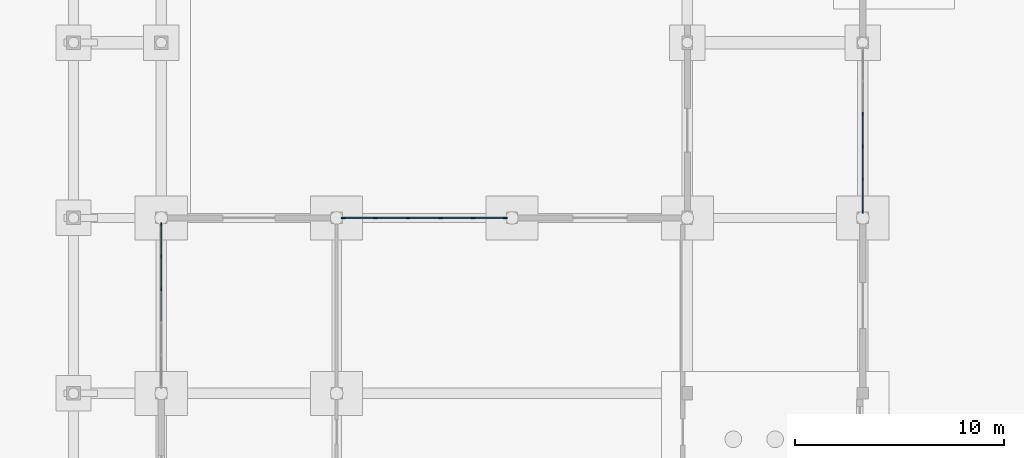
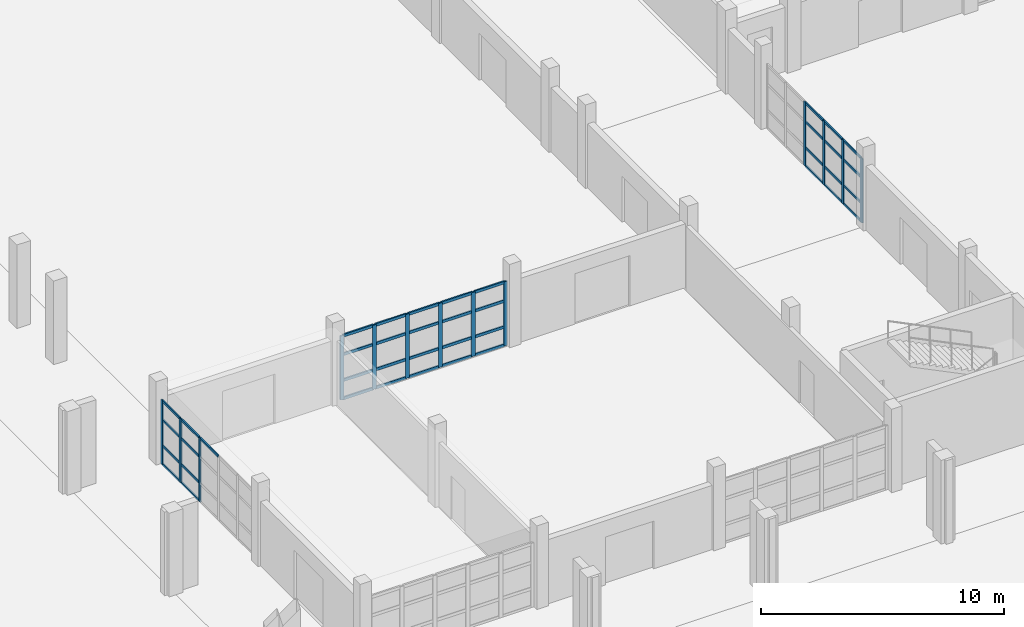
# One storey, part 17 of 88: 54 members, 3 elements without a shape of their own.
"""IFC4 building model written with IfcOpenShell, lengths in metres."""

from ifc_helpers import new_model, si_unit, direction, frame, origin, origin_2d, place, context, subcontext, project, spatial, rectangle, extrude, material, material_profile, profile_set, type_object, element, aggregate, save


model = new_model("IFC4")

# Units and contexts
model_context = context("Model", 3, precision=1e-05, world=origin(), true_north=direction((0.0, 1.0)))
body_context = subcontext(model_context, "Body", "Model", "MODEL_VIEW")
ifc_project = project(units=[si_unit("LENGTHUNIT", "METRE"), si_unit("AREAUNIT", "SQUARE_METRE"), si_unit("VOLUMEUNIT", "CUBIC_METRE"), si_unit("PLANEANGLEUNIT", "RADIAN"), si_unit("MASSUNIT", "GRAM", prefix="KILO")], contexts=[model_context])

# Site, building, storey
site_placement = place(None, origin())
site = spatial("IfcSite", under=ifc_project, at=site_placement, CompositionType="ELEMENT")
building_placement = place(site_placement, origin())
building = spatial("IfcBuilding", under=site, at=building_placement, Name="Vanh Quang Courtyard School", CompositionType="ELEMENT")
storey_placement = place(building_placement, origin())
storey = spatial("IfcBuildingStorey", under=building, at=storey_placement, Name="L00", CompositionType="ELEMENT", Elevation=0.0)

# Curtain wall, members
ifc_material_1 = material(Name="Thermally broken aluminium unitised curtain wall", Category="aluminium")
curtain_wall_type = type_object("IfcCurtainWallType", Name="CW-SYS-01", PredefinedType="NOTDEFINED", material=ifc_material_1)
curtain_wall_1_placement = place(storey_placement, origin())
curtain_wall_1 = element("IfcCurtainWall", 1, at=curtain_wall_1_placement, inside=storey, type_object=curtain_wall_type, Name="Curtain Wall CW-01 (L00)", PredefinedType="NOTDEFINED")
ifc_material_2 = material(Name="Anodised aluminium 6063-T6", Category="aluminium")
ifc_material_profile_1 = material_profile(ifc_material_2, rectangle(XDim=0.06005859375, YDim=0.159912109375, at=origin_2d()), Name="ALU-MUL 60x160")
ifc_profile_set_1 = profile_set([ifc_material_profile_1], Name="Anodised aluminium 6063-T6")
member_type_1 = type_object("IfcMemberType", Name="CW-MUL-60x160", PredefinedType="MULLION", material=ifc_profile_set_1)
member_1_placement = place(storey_placement, frame((37.800048828125, 25.9833984375, 0.0), z_axis=(0.0, 0.0, 1.0), x_axis=(1.0, 0.0, 0.0)))
member_1 = element("IfcMember", 2, at=member_1_placement, type_object=member_type_1, Name="CW-01 mullion 3", PredefinedType="MULLION", context=body_context, shape_type="SweptSolid", body=[
    extrude(rectangle(XDim=0.06005859375, YDim=0.159912109375, at=origin_2d()), origin(), (0.0, 0.0, 1.0), 3.219970703125),
])
member_2_placement = place(storey_placement, frame((37.800048828125, 24.41650390625, 0.0), z_axis=(0.0, 0.0, 1.0), x_axis=(1.0, 0.0, 0.0)))
member_2 = element("IfcMember", 3, at=member_2_placement, type_object=member_type_1, Name="CW-01 mullion 4", PredefinedType="MULLION", context=body_context, shape_type="SweptSolid", body=[
    extrude(rectangle(XDim=0.06005859375, YDim=0.159912109375, at=origin_2d()), origin(), (0.0, 0.0, 1.0), 3.219970703125),
])
member_3_placement = place(storey_placement, frame((37.800048828125, 22.849853515625, 0.0), z_axis=(0.0, 0.0, 1.0), x_axis=(1.0, 0.0, 0.0)))
member_3 = element("IfcMember", 4, at=member_3_placement, type_object=member_type_1, Name="CW-01 mullion 5", PredefinedType="MULLION", context=body_context, shape_type="SweptSolid", body=[
    extrude(rectangle(XDim=0.06005859375, YDim=0.159912109375, at=origin_2d()), origin(), (0.0, 0.0, 1.0), 3.219970703125),
])
member_4_placement = place(storey_placement, frame((37.800048828125, 21.31298828125, 0.0), z_axis=(0.0, 0.0, 1.0), x_axis=(1.0, 0.0, 0.0)))
member_4 = element("IfcMember", 5, at=member_4_placement, type_object=member_type_1, Name="CW-01 mullion 6", PredefinedType="MULLION", context=body_context, shape_type="SweptSolid", body=[
    extrude(rectangle(XDim=0.06005859375, YDim=0.159912109375, at=origin_2d()), origin(), (0.0, 0.0, 1.0), 3.219970703125),
])

curtain_wall_2_placement = place(storey_placement, origin())
curtain_wall_2 = element("IfcCurtainWall", 6, at=curtain_wall_2_placement, inside=storey, type_object=curtain_wall_type, Name="Curtain Wall CW-01 (L00)", PredefinedType="NOTDEFINED")
member_5_placement = place(storey_placement, frame((4.199951171875, 17.58349609375, 0.0), z_axis=(0.0, 0.0, 1.0), x_axis=(-1.0, 0.0, 0.0)))
member_5 = element("IfcMember", 7, at=member_5_placement, type_object=member_type_1, Name="CW-01 mullion 4", PredefinedType="MULLION", context=body_context, shape_type="SweptSolid", body=[
    extrude(rectangle(XDim=0.06005859375, YDim=0.159912109375, at=origin_2d()), origin(), (0.0, 0.0, 1.0), 3.219970703125),
])
member_6_placement = place(storey_placement, frame((4.199951171875, 19.150146484375, 0.0), z_axis=(0.0, 0.0, 1.0), x_axis=(-1.0, 0.0, 0.0)))
member_6 = element("IfcMember", 8, at=member_6_placement, type_object=member_type_1, Name="CW-01 mullion 5", PredefinedType="MULLION", context=body_context, shape_type="SweptSolid", body=[
    extrude(rectangle(XDim=0.06005859375, YDim=0.159912109375, at=origin_2d()), origin(), (0.0, 0.0, 1.0), 3.219970703125),
])
member_7_placement = place(storey_placement, frame((4.199951171875, 20.68701171875, 0.0), z_axis=(0.0, 0.0, 1.0), x_axis=(-1.0, 0.0, 0.0)))
member_7 = element("IfcMember", 9, at=member_7_placement, type_object=member_type_1, Name="CW-01 mullion 6", PredefinedType="MULLION", context=body_context, shape_type="SweptSolid", body=[
    extrude(rectangle(XDim=0.06005859375, YDim=0.159912109375, at=origin_2d()), origin(), (0.0, 0.0, 1.0), 3.219970703125),
])

curtain_wall_3_placement = place(storey_placement, origin())
curtain_wall_3 = element("IfcCurtainWall", 10, at=curtain_wall_3_placement, inside=storey, type_object=curtain_wall_type, Name="Curtain Wall CW-01 (L00)", PredefinedType="NOTDEFINED")
ifc_material_profile_2 = material_profile(ifc_material_2, rectangle(XDim=0.070068359375, YDim=0.179931640625, at=origin_2d()), Name="ALU-MUL 70x180")
ifc_profile_set_2 = profile_set([ifc_material_profile_2], Name="Anodised aluminium 6063-T6")
member_type_2 = type_object("IfcMemberType", Name="CW-MUL-70x180", PredefinedType="MULLION", material=ifc_profile_set_2)
member_8_placement = place(storey_placement, frame((12.91796875, 21.0, 0.0), z_axis=(0.0, 0.0, 1.0), x_axis=(0.0, 1.0, 0.0)))
member_8 = element("IfcMember", 11, at=member_8_placement, type_object=member_type_2, Name="CW-01 mullion 1", PredefinedType="MULLION", context=body_context, shape_type="SweptSolid", body=[
    extrude(rectangle(XDim=0.070068359375, YDim=0.179931640625, at=origin_2d()), origin(), (0.0, 0.0, 1.0), 3.219970703125),
])
member_9_placement = place(storey_placement, frame((14.44970703125, 21.0, 0.0), z_axis=(0.0, 0.0, 1.0), x_axis=(0.0, 1.0, 0.0)))
member_9 = element("IfcMember", 12, at=member_9_placement, type_object=member_type_2, Name="CW-01 mullion 2", PredefinedType="MULLION", context=body_context, shape_type="SweptSolid", body=[
    extrude(rectangle(XDim=0.070068359375, YDim=0.179931640625, at=origin_2d()), origin(), (0.0, 0.0, 1.0), 3.219970703125),
])
member_10_placement = place(storey_placement, frame((16.0166015625, 21.0, 0.0), z_axis=(0.0, 0.0, 1.0), x_axis=(0.0, 1.0, 0.0)))
member_10 = element("IfcMember", 13, at=member_10_placement, type_object=member_type_2, Name="CW-01 mullion 3", PredefinedType="MULLION", context=body_context, shape_type="SweptSolid", body=[
    extrude(rectangle(XDim=0.070068359375, YDim=0.179931640625, at=origin_2d()), origin(), (0.0, 0.0, 1.0), 3.219970703125),
])
member_11_placement = place(storey_placement, frame((17.58349609375, 21.0, 0.0), z_axis=(0.0, 0.0, 1.0), x_axis=(0.0, 1.0, 0.0)))
member_11 = element("IfcMember", 14, at=member_11_placement, type_object=member_type_2, Name="CW-01 mullion 4", PredefinedType="MULLION", context=body_context, shape_type="SweptSolid", body=[
    extrude(rectangle(XDim=0.070068359375, YDim=0.179931640625, at=origin_2d()), origin(), (0.0, 0.0, 1.0), 3.219970703125),
])
member_12_placement = place(storey_placement, frame((19.150146484375, 21.0, 0.0), z_axis=(0.0, 0.0, 1.0), x_axis=(0.0, 1.0, 0.0)))
member_12 = element("IfcMember", 15, at=member_12_placement, type_object=member_type_2, Name="CW-01 mullion 5", PredefinedType="MULLION", context=body_context, shape_type="SweptSolid", body=[
    extrude(rectangle(XDim=0.070068359375, YDim=0.179931640625, at=origin_2d()), origin(), (0.0, 0.0, 1.0), 3.219970703125),
])
member_13_placement = place(storey_placement, frame((20.681884765625, 21.0, 0.0), z_axis=(0.0, 0.0, 1.0), x_axis=(0.0, 1.0, 0.0)))
member_13 = element("IfcMember", 16, at=member_13_placement, type_object=member_type_2, Name="CW-01 mullion 6", PredefinedType="MULLION", context=body_context, shape_type="SweptSolid", body=[
    extrude(rectangle(XDim=0.070068359375, YDim=0.179931640625, at=origin_2d()), origin(), (0.0, 0.0, 1.0), 3.219970703125),
])

# Member
ifc_material_profile_3 = material_profile(ifc_material_2, rectangle(XDim=0.06005859375, YDim=0.1201171875, at=origin_2d()), Name="ALU-TRN 60x120")
ifc_profile_set_3 = profile_set([ifc_material_profile_3], Name="Anodised aluminium 6063-T6")
member_type_3 = type_object("IfcMemberType", Name="CW-TRN-60x120", PredefinedType="USERDEFINED", material=ifc_profile_set_3)
member_14_placement = place(storey_placement, frame((37.800048828125, 25.953369140625, 0.030029296875), z_axis=(0.0, -1.0, 0.0), x_axis=(1.0, 0.0, 0.0)))
member_14 = element("IfcMember", 17, at=member_14_placement, type_object=member_type_3, Name="CW-01 transom 3.1", ObjectType="TRANSOM", PredefinedType="USERDEFINED", context=body_context, shape_type="SweptSolid", body=[
    extrude(rectangle(XDim=0.06005859375, YDim=0.1201171875, at=origin_2d()), origin(), (0.0, 0.0, 1.0), 1.5068359375),
])

member_15_placement = place(storey_placement, frame((37.800048828125, 25.953369140625, 0.949951171875), z_axis=(0.0, -1.0, 0.0), x_axis=(1.0, 0.0, 0.0)))
member_15 = element("IfcMember", 18, at=member_15_placement, type_object=member_type_3, Name="CW-01 transom 3.2", ObjectType="TRANSOM", PredefinedType="USERDEFINED", context=body_context, shape_type="SweptSolid", body=[
    extrude(rectangle(XDim=0.06005859375, YDim=0.1201171875, at=origin_2d()), origin(), (0.0, 0.0, 1.0), 1.5068359375),
])

member_16_placement = place(storey_placement, frame((37.800048828125, 25.953369140625, 2.25), z_axis=(0.0, -1.0, 0.0), x_axis=(1.0, 0.0, 0.0)))
member_16 = element("IfcMember", 19, at=member_16_placement, type_object=member_type_3, Name="CW-01 transom 3.3", ObjectType="TRANSOM", PredefinedType="USERDEFINED", context=body_context, shape_type="SweptSolid", body=[
    extrude(rectangle(XDim=0.06005859375, YDim=0.1201171875, at=origin_2d()), origin(), (0.0, 0.0, 1.0), 1.5068359375),
])

member_17_placement = place(storey_placement, frame((37.800048828125, 25.953369140625, 3.18994140625), z_axis=(0.0, -1.0, 0.0), x_axis=(1.0, 0.0, 0.0)))
member_17 = element("IfcMember", 20, at=member_17_placement, type_object=member_type_3, Name="CW-01 transom 3.4", ObjectType="TRANSOM", PredefinedType="USERDEFINED", context=body_context, shape_type="SweptSolid", body=[
    extrude(rectangle(XDim=0.06005859375, YDim=0.1201171875, at=origin_2d()), origin(), (0.0, 0.0, 1.0), 1.5068359375),
])

member_18_placement = place(storey_placement, frame((37.800048828125, 24.38671875, 0.030029296875), z_axis=(0.0, -1.0, 0.0), x_axis=(1.0, 0.0, 0.0)))
member_18 = element("IfcMember", 21, at=member_18_placement, type_object=member_type_3, Name="CW-01 transom 4.1", ObjectType="TRANSOM", PredefinedType="USERDEFINED", context=body_context, shape_type="SweptSolid", body=[
    extrude(rectangle(XDim=0.06005859375, YDim=0.1201171875, at=origin_2d()), origin(), (0.0, 0.0, 1.0), 1.5068359375),
])

member_19_placement = place(storey_placement, frame((37.800048828125, 24.38671875, 0.949951171875), z_axis=(0.0, -1.0, 0.0), x_axis=(1.0, 0.0, 0.0)))
member_19 = element("IfcMember", 22, at=member_19_placement, type_object=member_type_3, Name="CW-01 transom 4.2", ObjectType="TRANSOM", PredefinedType="USERDEFINED", context=body_context, shape_type="SweptSolid", body=[
    extrude(rectangle(XDim=0.06005859375, YDim=0.1201171875, at=origin_2d()), origin(), (0.0, 0.0, 1.0), 1.5068359375),
])

member_20_placement = place(storey_placement, frame((37.800048828125, 24.38671875, 2.25), z_axis=(0.0, -1.0, 0.0), x_axis=(1.0, 0.0, 0.0)))
member_20 = element("IfcMember", 23, at=member_20_placement, type_object=member_type_3, Name="CW-01 transom 4.3", ObjectType="TRANSOM", PredefinedType="USERDEFINED", context=body_context, shape_type="SweptSolid", body=[
    extrude(rectangle(XDim=0.06005859375, YDim=0.1201171875, at=origin_2d()), origin(), (0.0, 0.0, 1.0), 1.5068359375),
])

member_21_placement = place(storey_placement, frame((37.800048828125, 24.38671875, 3.18994140625), z_axis=(0.0, -1.0, 0.0), x_axis=(1.0, 0.0, 0.0)))
member_21 = element("IfcMember", 24, at=member_21_placement, type_object=member_type_3, Name="CW-01 transom 4.4", ObjectType="TRANSOM", PredefinedType="USERDEFINED", context=body_context, shape_type="SweptSolid", body=[
    extrude(rectangle(XDim=0.06005859375, YDim=0.1201171875, at=origin_2d()), origin(), (0.0, 0.0, 1.0), 1.5068359375),
])

member_22_placement = place(storey_placement, frame((37.800048828125, 22.81982421875, 0.030029296875), z_axis=(0.0, -1.0, 0.0), x_axis=(1.0, 0.0, 0.0)))
member_22 = element("IfcMember", 25, at=member_22_placement, type_object=member_type_3, Name="CW-01 transom 5.1", ObjectType="TRANSOM", PredefinedType="USERDEFINED", context=body_context, shape_type="SweptSolid", body=[
    extrude(rectangle(XDim=0.06005859375, YDim=0.1201171875, at=origin_2d()), origin(), (0.0, 0.0, 1.0), 1.476806640625),
])

member_23_placement = place(storey_placement, frame((37.800048828125, 22.81982421875, 0.949951171875), z_axis=(0.0, -1.0, 0.0), x_axis=(1.0, 0.0, 0.0)))
member_23 = element("IfcMember", 26, at=member_23_placement, type_object=member_type_3, Name="CW-01 transom 5.2", ObjectType="TRANSOM", PredefinedType="USERDEFINED", context=body_context, shape_type="SweptSolid", body=[
    extrude(rectangle(XDim=0.06005859375, YDim=0.1201171875, at=origin_2d()), origin(), (0.0, 0.0, 1.0), 1.476806640625),
])

member_24_placement = place(storey_placement, frame((37.800048828125, 22.81982421875, 2.25), z_axis=(0.0, -1.0, 0.0), x_axis=(1.0, 0.0, 0.0)))
member_24 = element("IfcMember", 27, at=member_24_placement, type_object=member_type_3, Name="CW-01 transom 5.3", ObjectType="TRANSOM", PredefinedType="USERDEFINED", context=body_context, shape_type="SweptSolid", body=[
    extrude(rectangle(XDim=0.06005859375, YDim=0.1201171875, at=origin_2d()), origin(), (0.0, 0.0, 1.0), 1.476806640625),
])

member_25_placement = place(storey_placement, frame((37.800048828125, 22.81982421875, 3.18994140625), z_axis=(0.0, -1.0, 0.0), x_axis=(1.0, 0.0, 0.0)))
member_25 = element("IfcMember", 28, at=member_25_placement, type_object=member_type_3, Name="CW-01 transom 5.4", ObjectType="TRANSOM", PredefinedType="USERDEFINED", context=body_context, shape_type="SweptSolid", body=[
    extrude(rectangle(XDim=0.06005859375, YDim=0.1201171875, at=origin_2d()), origin(), (0.0, 0.0, 1.0), 1.476806640625),
])

aggregate(curtain_wall_1, [member_1, member_2, member_3, member_4, member_14, member_15, member_16, member_17, member_18, member_19, member_20, member_21, member_22, member_23, member_24, member_25])

member_26_placement = place(storey_placement, frame((4.199951171875, 16.046630859375, 3.18994140625), z_axis=(0.0, 1.0, 0.0), x_axis=(-1.0, 0.0, 0.0)))
member_26 = element("IfcMember", 29, at=member_26_placement, type_object=member_type_3, Name="CW-01 transom 3.4", ObjectType="TRANSOM", PredefinedType="USERDEFINED", context=body_context, shape_type="SweptSolid", body=[
    extrude(rectangle(XDim=0.06005859375, YDim=0.1201171875, at=origin_2d()), origin(), (0.0, 0.0, 1.0), 1.5068359375),
])

member_27_placement = place(storey_placement, frame((4.199951171875, 17.61328125, 0.030029296875), z_axis=(0.0, 1.0, 0.0), x_axis=(-1.0, 0.0, 0.0)))
member_27 = element("IfcMember", 30, at=member_27_placement, type_object=member_type_3, Name="CW-01 transom 4.1", ObjectType="TRANSOM", PredefinedType="USERDEFINED", context=body_context, shape_type="SweptSolid", body=[
    extrude(rectangle(XDim=0.06005859375, YDim=0.1201171875, at=origin_2d()), origin(), (0.0, 0.0, 1.0), 1.5068359375),
])

member_28_placement = place(storey_placement, frame((4.199951171875, 17.61328125, 0.949951171875), z_axis=(0.0, 1.0, 0.0), x_axis=(-1.0, 0.0, 0.0)))
member_28 = element("IfcMember", 31, at=member_28_placement, type_object=member_type_3, Name="CW-01 transom 4.2", ObjectType="TRANSOM", PredefinedType="USERDEFINED", context=body_context, shape_type="SweptSolid", body=[
    extrude(rectangle(XDim=0.06005859375, YDim=0.1201171875, at=origin_2d()), origin(), (0.0, 0.0, 1.0), 1.5068359375),
])

member_29_placement = place(storey_placement, frame((4.199951171875, 17.61328125, 2.25), z_axis=(0.0, 1.0, 0.0), x_axis=(-1.0, 0.0, 0.0)))
member_29 = element("IfcMember", 32, at=member_29_placement, type_object=member_type_3, Name="CW-01 transom 4.3", ObjectType="TRANSOM", PredefinedType="USERDEFINED", context=body_context, shape_type="SweptSolid", body=[
    extrude(rectangle(XDim=0.06005859375, YDim=0.1201171875, at=origin_2d()), origin(), (0.0, 0.0, 1.0), 1.5068359375),
])

member_30_placement = place(storey_placement, frame((4.199951171875, 17.61328125, 3.18994140625), z_axis=(0.0, 1.0, 0.0), x_axis=(-1.0, 0.0, 0.0)))
member_30 = element("IfcMember", 33, at=member_30_placement, type_object=member_type_3, Name="CW-01 transom 4.4", ObjectType="TRANSOM", PredefinedType="USERDEFINED", context=body_context, shape_type="SweptSolid", body=[
    extrude(rectangle(XDim=0.06005859375, YDim=0.1201171875, at=origin_2d()), origin(), (0.0, 0.0, 1.0), 1.5068359375),
])

member_31_placement = place(storey_placement, frame((4.199951171875, 19.18017578125, 0.030029296875), z_axis=(0.0, 1.0, 0.0), x_axis=(-1.0, 0.0, 0.0)))
member_31 = element("IfcMember", 34, at=member_31_placement, type_object=member_type_3, Name="CW-01 transom 5.1", ObjectType="TRANSOM", PredefinedType="USERDEFINED", context=body_context, shape_type="SweptSolid", body=[
    extrude(rectangle(XDim=0.06005859375, YDim=0.1201171875, at=origin_2d()), origin(), (0.0, 0.0, 1.0), 1.476806640625),
])

member_32_placement = place(storey_placement, frame((4.199951171875, 19.18017578125, 0.949951171875), z_axis=(0.0, 1.0, 0.0), x_axis=(-1.0, 0.0, 0.0)))
member_32 = element("IfcMember", 35, at=member_32_placement, type_object=member_type_3, Name="CW-01 transom 5.2", ObjectType="TRANSOM", PredefinedType="USERDEFINED", context=body_context, shape_type="SweptSolid", body=[
    extrude(rectangle(XDim=0.06005859375, YDim=0.1201171875, at=origin_2d()), origin(), (0.0, 0.0, 1.0), 1.476806640625),
])

member_33_placement = place(storey_placement, frame((4.199951171875, 19.18017578125, 2.25), z_axis=(0.0, 1.0, 0.0), x_axis=(-1.0, 0.0, 0.0)))
member_33 = element("IfcMember", 36, at=member_33_placement, type_object=member_type_3, Name="CW-01 transom 5.3", ObjectType="TRANSOM", PredefinedType="USERDEFINED", context=body_context, shape_type="SweptSolid", body=[
    extrude(rectangle(XDim=0.06005859375, YDim=0.1201171875, at=origin_2d()), origin(), (0.0, 0.0, 1.0), 1.476806640625),
])

member_34_placement = place(storey_placement, frame((4.199951171875, 19.18017578125, 3.18994140625), z_axis=(0.0, 1.0, 0.0), x_axis=(-1.0, 0.0, 0.0)))
member_34 = element("IfcMember", 37, at=member_34_placement, type_object=member_type_3, Name="CW-01 transom 5.4", ObjectType="TRANSOM", PredefinedType="USERDEFINED", context=body_context, shape_type="SweptSolid", body=[
    extrude(rectangle(XDim=0.06005859375, YDim=0.1201171875, at=origin_2d()), origin(), (0.0, 0.0, 1.0), 1.476806640625),
])

aggregate(curtain_wall_2, [member_5, member_6, member_7, member_26, member_27, member_28, member_29, member_30, member_31, member_32, member_33, member_34])

ifc_material_profile_4 = material_profile(ifc_material_2, rectangle(XDim=0.070068359375, YDim=0.139892578125, at=origin_2d()), Name="ALU-TRN 70x140")
ifc_profile_set_4 = profile_set([ifc_material_profile_4], Name="Anodised aluminium 6063-T6")
member_type_4 = type_object("IfcMemberType", Name="CW-TRN-70x140", PredefinedType="USERDEFINED", material=ifc_profile_set_4)
member_35_placement = place(storey_placement, frame((12.952880859375, 21.0, 0.034912109375), z_axis=(1.0, 0.0, 0.0), x_axis=(0.0, 1.0, 0.0)))
member_35 = element("IfcMember", 38, at=member_35_placement, type_object=member_type_4, Name="CW-01 transom 1.1", ObjectType="TRANSOM", PredefinedType="USERDEFINED", context=body_context, shape_type="SweptSolid", body=[
    extrude(rectangle(XDim=0.070068359375, YDim=0.139892578125, at=origin_2d()), origin(), (0.0, 0.0, 1.0), 1.4619140625),
])

member_36_placement = place(storey_placement, frame((12.952880859375, 21.0, 0.949951171875), z_axis=(1.0, 0.0, 0.0), x_axis=(0.0, 1.0, 0.0)))
member_36 = element("IfcMember", 39, at=member_36_placement, type_object=member_type_4, Name="CW-01 transom 1.2", ObjectType="TRANSOM", PredefinedType="USERDEFINED", context=body_context, shape_type="SweptSolid", body=[
    extrude(rectangle(XDim=0.070068359375, YDim=0.139892578125, at=origin_2d()), origin(), (0.0, 0.0, 1.0), 1.4619140625),
])

member_37_placement = place(storey_placement, frame((12.952880859375, 21.0, 2.25), z_axis=(1.0, 0.0, 0.0), x_axis=(0.0, 1.0, 0.0)))
member_37 = element("IfcMember", 40, at=member_37_placement, type_object=member_type_4, Name="CW-01 transom 1.3", ObjectType="TRANSOM", PredefinedType="USERDEFINED", context=body_context, shape_type="SweptSolid", body=[
    extrude(rectangle(XDim=0.070068359375, YDim=0.139892578125, at=origin_2d()), origin(), (0.0, 0.0, 1.0), 1.4619140625),
])

member_38_placement = place(storey_placement, frame((12.952880859375, 21.0, 3.18505859375), z_axis=(1.0, 0.0, 0.0), x_axis=(0.0, 1.0, 0.0)))
member_38 = element("IfcMember", 41, at=member_38_placement, type_object=member_type_4, Name="CW-01 transom 1.4", ObjectType="TRANSOM", PredefinedType="USERDEFINED", context=body_context, shape_type="SweptSolid", body=[
    extrude(rectangle(XDim=0.070068359375, YDim=0.139892578125, at=origin_2d()), origin(), (0.0, 0.0, 1.0), 1.4619140625),
])

member_39_placement = place(storey_placement, frame((14.48486328125, 21.0, 0.034912109375), z_axis=(1.0, 0.0, 0.0), x_axis=(0.0, 1.0, 0.0)))
member_39 = element("IfcMember", 42, at=member_39_placement, type_object=member_type_4, Name="CW-01 transom 2.1", ObjectType="TRANSOM", PredefinedType="USERDEFINED", context=body_context, shape_type="SweptSolid", body=[
    extrude(rectangle(XDim=0.070068359375, YDim=0.139892578125, at=origin_2d()), origin(), (0.0, 0.0, 1.0), 1.496826171875),
])

member_40_placement = place(storey_placement, frame((14.48486328125, 21.0, 0.949951171875), z_axis=(1.0, 0.0, 0.0), x_axis=(0.0, 1.0, 0.0)))
member_40 = element("IfcMember", 43, at=member_40_placement, type_object=member_type_4, Name="CW-01 transom 2.2", ObjectType="TRANSOM", PredefinedType="USERDEFINED", context=body_context, shape_type="SweptSolid", body=[
    extrude(rectangle(XDim=0.070068359375, YDim=0.139892578125, at=origin_2d()), origin(), (0.0, 0.0, 1.0), 1.496826171875),
])

member_41_placement = place(storey_placement, frame((14.48486328125, 21.0, 2.25), z_axis=(1.0, 0.0, 0.0), x_axis=(0.0, 1.0, 0.0)))
member_41 = element("IfcMember", 44, at=member_41_placement, type_object=member_type_4, Name="CW-01 transom 2.3", ObjectType="TRANSOM", PredefinedType="USERDEFINED", context=body_context, shape_type="SweptSolid", body=[
    extrude(rectangle(XDim=0.070068359375, YDim=0.139892578125, at=origin_2d()), origin(), (0.0, 0.0, 1.0), 1.496826171875),
])

member_42_placement = place(storey_placement, frame((14.48486328125, 21.0, 3.18505859375), z_axis=(1.0, 0.0, 0.0), x_axis=(0.0, 1.0, 0.0)))
member_42 = element("IfcMember", 45, at=member_42_placement, type_object=member_type_4, Name="CW-01 transom 2.4", ObjectType="TRANSOM", PredefinedType="USERDEFINED", context=body_context, shape_type="SweptSolid", body=[
    extrude(rectangle(XDim=0.070068359375, YDim=0.139892578125, at=origin_2d()), origin(), (0.0, 0.0, 1.0), 1.496826171875),
])

member_43_placement = place(storey_placement, frame((16.051513671875, 21.0, 0.034912109375), z_axis=(1.0, 0.0, 0.0), x_axis=(0.0, 1.0, 0.0)))
member_43 = element("IfcMember", 46, at=member_43_placement, type_object=member_type_4, Name="CW-01 transom 3.1", ObjectType="TRANSOM", PredefinedType="USERDEFINED", context=body_context, shape_type="SweptSolid", body=[
    extrude(rectangle(XDim=0.070068359375, YDim=0.139892578125, at=origin_2d()), origin(), (0.0, 0.0, 1.0), 1.496826171875),
])

member_44_placement = place(storey_placement, frame((16.051513671875, 21.0, 0.949951171875), z_axis=(1.0, 0.0, 0.0), x_axis=(0.0, 1.0, 0.0)))
member_44 = element("IfcMember", 47, at=member_44_placement, type_object=member_type_4, Name="CW-01 transom 3.2", ObjectType="TRANSOM", PredefinedType="USERDEFINED", context=body_context, shape_type="SweptSolid", body=[
    extrude(rectangle(XDim=0.070068359375, YDim=0.139892578125, at=origin_2d()), origin(), (0.0, 0.0, 1.0), 1.496826171875),
])

member_45_placement = place(storey_placement, frame((16.051513671875, 21.0, 2.25), z_axis=(1.0, 0.0, 0.0), x_axis=(0.0, 1.0, 0.0)))
member_45 = element("IfcMember", 48, at=member_45_placement, type_object=member_type_4, Name="CW-01 transom 3.3", ObjectType="TRANSOM", PredefinedType="USERDEFINED", context=body_context, shape_type="SweptSolid", body=[
    extrude(rectangle(XDim=0.070068359375, YDim=0.139892578125, at=origin_2d()), origin(), (0.0, 0.0, 1.0), 1.496826171875),
])

member_46_placement = place(storey_placement, frame((16.051513671875, 21.0, 3.18505859375), z_axis=(1.0, 0.0, 0.0), x_axis=(0.0, 1.0, 0.0)))
member_46 = element("IfcMember", 49, at=member_46_placement, type_object=member_type_4, Name="CW-01 transom 3.4", ObjectType="TRANSOM", PredefinedType="USERDEFINED", context=body_context, shape_type="SweptSolid", body=[
    extrude(rectangle(XDim=0.070068359375, YDim=0.139892578125, at=origin_2d()), origin(), (0.0, 0.0, 1.0), 1.496826171875),
])

member_47_placement = place(storey_placement, frame((17.618408203125, 21.0, 0.034912109375), z_axis=(1.0, 0.0, 0.0), x_axis=(0.0, 1.0, 0.0)))
member_47 = element("IfcMember", 50, at=member_47_placement, type_object=member_type_4, Name="CW-01 transom 4.1", ObjectType="TRANSOM", PredefinedType="USERDEFINED", context=body_context, shape_type="SweptSolid", body=[
    extrude(rectangle(XDim=0.070068359375, YDim=0.139892578125, at=origin_2d()), origin(), (0.0, 0.0, 1.0), 1.496826171875),
])

member_48_placement = place(storey_placement, frame((17.618408203125, 21.0, 0.949951171875), z_axis=(1.0, 0.0, 0.0), x_axis=(0.0, 1.0, 0.0)))
member_48 = element("IfcMember", 51, at=member_48_placement, type_object=member_type_4, Name="CW-01 transom 4.2", ObjectType="TRANSOM", PredefinedType="USERDEFINED", context=body_context, shape_type="SweptSolid", body=[
    extrude(rectangle(XDim=0.070068359375, YDim=0.139892578125, at=origin_2d()), origin(), (0.0, 0.0, 1.0), 1.496826171875),
])

member_49_placement = place(storey_placement, frame((17.618408203125, 21.0, 2.25), z_axis=(1.0, 0.0, 0.0), x_axis=(0.0, 1.0, 0.0)))
member_49 = element("IfcMember", 52, at=member_49_placement, type_object=member_type_4, Name="CW-01 transom 4.3", ObjectType="TRANSOM", PredefinedType="USERDEFINED", context=body_context, shape_type="SweptSolid", body=[
    extrude(rectangle(XDim=0.070068359375, YDim=0.139892578125, at=origin_2d()), origin(), (0.0, 0.0, 1.0), 1.496826171875),
])

member_50_placement = place(storey_placement, frame((17.618408203125, 21.0, 3.18505859375), z_axis=(1.0, 0.0, 0.0), x_axis=(0.0, 1.0, 0.0)))
member_50 = element("IfcMember", 53, at=member_50_placement, type_object=member_type_4, Name="CW-01 transom 4.4", ObjectType="TRANSOM", PredefinedType="USERDEFINED", context=body_context, shape_type="SweptSolid", body=[
    extrude(rectangle(XDim=0.070068359375, YDim=0.139892578125, at=origin_2d()), origin(), (0.0, 0.0, 1.0), 1.496826171875),
])

member_51_placement = place(storey_placement, frame((19.185302734375, 21.0, 0.034912109375), z_axis=(1.0, 0.0, 0.0), x_axis=(0.0, 1.0, 0.0)))
member_51 = element("IfcMember", 54, at=member_51_placement, type_object=member_type_4, Name="CW-01 transom 5.1", ObjectType="TRANSOM", PredefinedType="USERDEFINED", context=body_context, shape_type="SweptSolid", body=[
    extrude(rectangle(XDim=0.070068359375, YDim=0.139892578125, at=origin_2d()), origin(), (0.0, 0.0, 1.0), 1.461669921875),
])

member_52_placement = place(storey_placement, frame((19.185302734375, 21.0, 0.949951171875), z_axis=(1.0, 0.0, 0.0), x_axis=(0.0, 1.0, 0.0)))
member_52 = element("IfcMember", 55, at=member_52_placement, type_object=member_type_4, Name="CW-01 transom 5.2", ObjectType="TRANSOM", PredefinedType="USERDEFINED", context=body_context, shape_type="SweptSolid", body=[
    extrude(rectangle(XDim=0.070068359375, YDim=0.139892578125, at=origin_2d()), origin(), (0.0, 0.0, 1.0), 1.461669921875),
])

member_53_placement = place(storey_placement, frame((19.185302734375, 21.0, 2.25), z_axis=(1.0, 0.0, 0.0), x_axis=(0.0, 1.0, 0.0)))
member_53 = element("IfcMember", 56, at=member_53_placement, type_object=member_type_4, Name="CW-01 transom 5.3", ObjectType="TRANSOM", PredefinedType="USERDEFINED", context=body_context, shape_type="SweptSolid", body=[
    extrude(rectangle(XDim=0.070068359375, YDim=0.139892578125, at=origin_2d()), origin(), (0.0, 0.0, 1.0), 1.461669921875),
])

member_54_placement = place(storey_placement, frame((19.185302734375, 21.0, 3.18505859375), z_axis=(1.0, 0.0, 0.0), x_axis=(0.0, 1.0, 0.0)))
member_54 = element("IfcMember", 57, at=member_54_placement, type_object=member_type_4, Name="CW-01 transom 5.4", ObjectType="TRANSOM", PredefinedType="USERDEFINED", context=body_context, shape_type="SweptSolid", body=[
    extrude(rectangle(XDim=0.070068359375, YDim=0.139892578125, at=origin_2d()), origin(), (0.0, 0.0, 1.0), 1.461669921875),
])

aggregate(curtain_wall_3, [member_8, member_9, member_10, member_11, member_12, member_13, member_35, member_36, member_37, member_38, member_39, member_40, member_41, member_42, member_43, member_44, member_45, member_46, member_47, member_48, member_49, member_50, member_51, member_52, member_53, member_54])

save(model, "model.ifc")
